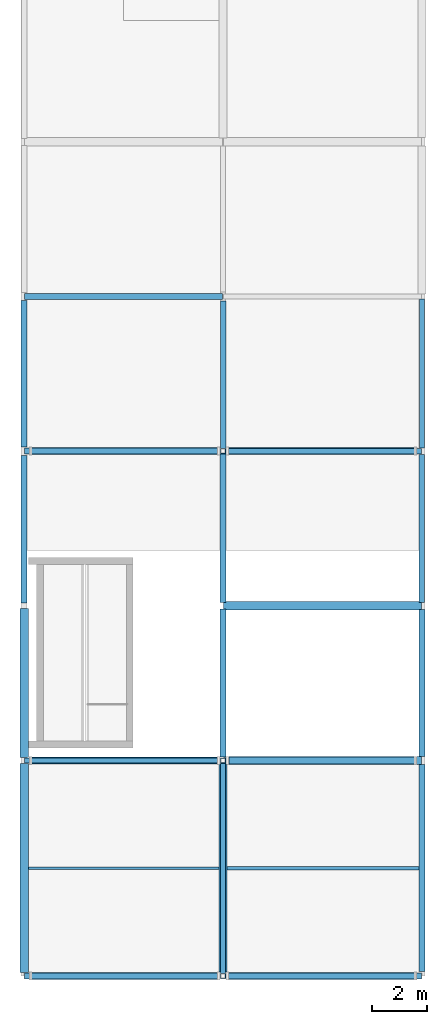
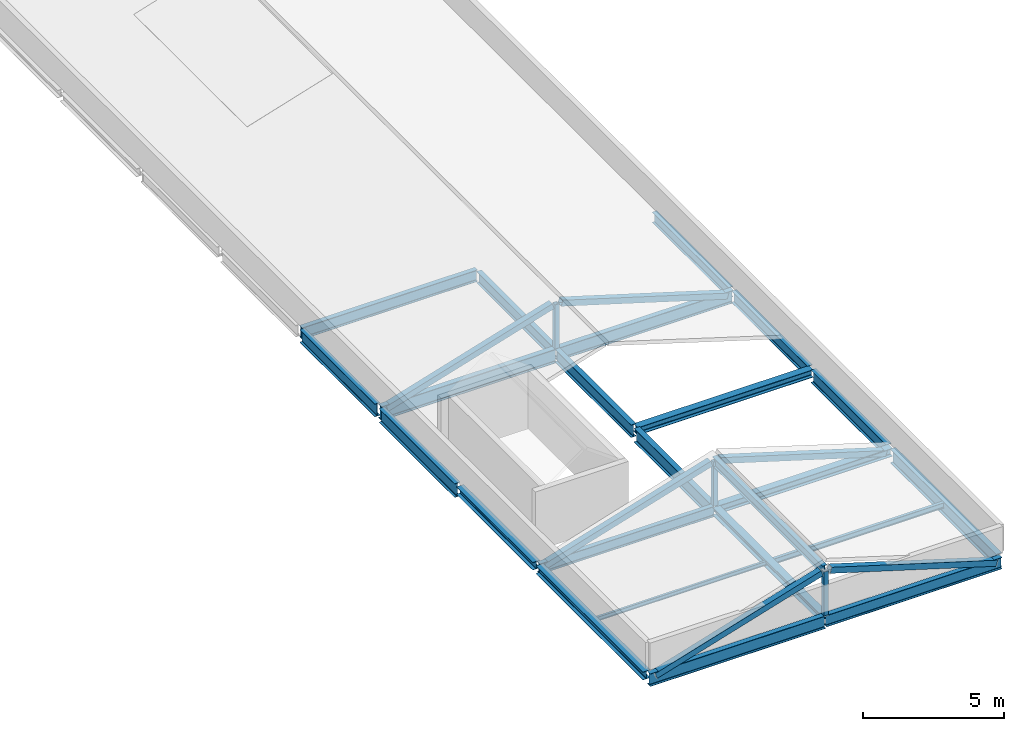
# One storey, part 1 of 9: 23 beams, 9 members.
"""IFC4 building model written with IfcOpenShell, lengths in metres."""

from ifc_helpers import new_model, si_unit, direction, frame, origin, origin_2d, place, context, subcontext, project, spatial, hollow_rectangle, i_section, extrude, material, material_profile, profile_set, type_object, element, save


model = new_model("IFC4")

# Units and contexts
model_context = context("Model", 3, precision=1e-05, world=origin(), true_north=direction((0.0, 1.0)))
body_context = subcontext(model_context, "Body", "Model", "MODEL_VIEW")
ifc_project = project(units=[si_unit("LENGTHUNIT", "METRE"), si_unit("AREAUNIT", "SQUARE_METRE"), si_unit("VOLUMEUNIT", "CUBIC_METRE"), si_unit("PLANEANGLEUNIT", "RADIAN"), si_unit("MASSUNIT", "GRAM", prefix="KILO")], contexts=[model_context])

# Site, building, storey
site_placement = place(None, origin())
site = spatial("IfcSite", under=ifc_project, at=site_placement, CompositionType="ELEMENT")
building_placement = place(site_placement, origin())
building = spatial("IfcBuilding", under=site, at=building_placement, Name="Vinh Khe Railworks Police Headquarters", CompositionType="ELEMENT")
storey_placement = place(building_placement, frame((0.0, 0.0, 36.60009765625)))
storey = spatial("IfcBuildingStorey", under=building, at=storey_placement, Name="RF", CompositionType="ELEMENT", Elevation=36.60009765625)

# Members
ifc_material = material(Name="Steel S355JR", Category="steel")
ifc_material_profile_1 = material_profile(ifc_material, hollow_rectangle(XDim=0.179931640625, YDim=0.179931640625, WallThickness=0.010009765625, at=origin_2d()), Name="SHS 180x180x10")
ifc_profile_set_1 = profile_set([ifc_material_profile_1], Name="Steel S355JR")
member_type_1 = type_object("IfcMemberType", Name="Roof Strut SHS 180x180x10", PredefinedType="STRUT", material=ifc_profile_set_1)
for number, where, z_axis, x_axis, name in (
    (1, (7.800048828125, 17.39990234375, -0.18017578125), (0.0, 0.0, 1.0), (1.0, 0.0, 0.0), "Heritage Roof King Strut 1"),
    (2, (7.800048828125, 25.199951171875, -0.18017578125), (0.0, 0.0, 1.0), (1.0, 0.0, 0.0), "Heritage Roof King Strut 1"),
    (3, (7.800048828125, 36.39990234375, -0.18017578125), (0.0, 0.0, 1.0), (1.0, 0.0, 0.0), "Heritage Roof King Strut 2"),
):
    element("IfcMember", number, at=place(storey_placement, frame(where, z_axis=z_axis, x_axis=x_axis)), inside=storey, type_object=member_type_1, Name=name, PredefinedType="STRUT", context=body_context, shape_type="SweptSolid", body=[
        extrude(hollow_rectangle(XDim=0.179931640625, YDim=0.179931640625, WallThickness=0.010009765625, at=origin_2d()), origin(), (0.0, 0.0, 1.0), 1.900146484375),
    ])

# Beams
ifc_material_profile_2 = material_profile(ifc_material, i_section(OverallWidth=0.091064453125, OverallDepth=0.179931640625, WebThickness=0.00537109375, FlangeThickness=0.008056640625, FilletRadius=0.009033203125, at=origin_2d()), Name="IPE 180")
ifc_profile_set_2 = profile_set([ifc_material_profile_2], Name="Steel S355JR")
beam_type_1 = type_object("IfcBeamType", Name="Secondary Joist IPE 180", PredefinedType="JOIST", material=ifc_profile_set_2)
beam_1_placement = place(storey_placement, frame((0.75, 21.300048828125, -0.27001953125), z_axis=(1.0, 0.0, 0.0), x_axis=(0.0, 1.0, 0.0)))
element("IfcBeam", 4, at=beam_1_placement, inside=storey, type_object=beam_type_1, Name="Secondary Joist JST-RF-SJ-07-0087", PredefinedType="JOIST", context=body_context, shape_type="SweptSolid", body=[
    extrude(i_section(OverallWidth=0.091064453125, OverallDepth=0.179931640625, WebThickness=0.00537109375, FlangeThickness=0.008056640625, FilletRadius=0.009033203125, at=origin_2d()), origin(), (0.0, 0.0, 1.0), 6.89990234375),
])
ifc_material_profile_3 = material_profile(ifc_material, i_section(OverallWidth=0.1201171875, OverallDepth=0.239990234375, WebThickness=0.006103515625, FlangeThickness=0.009765625, FilletRadius=0.014892578125, at=origin_2d()), Name="IPE 240")
ifc_profile_set_3 = profile_set([ifc_material_profile_3], Name="Steel S355JR")
beam_type_2 = type_object("IfcBeamType", Name="Secondary Joist IPE 240", PredefinedType="JOIST", material=ifc_profile_set_3)
beam_2_placement = place(storey_placement, frame((7.949951171875, 21.300048828125, -0.300048828125), z_axis=(1.0, 0.0, 0.0), x_axis=(0.0, 1.0, 0.0)))
element("IfcBeam", 5, at=beam_2_placement, inside=storey, type_object=beam_type_2, Name="Secondary Joist JST-RF-SJ-04-0093", PredefinedType="JOIST", context=body_context, shape_type="SweptSolid", body=[
    extrude(i_section(OverallWidth=0.1201171875, OverallDepth=0.239990234375, WebThickness=0.006103515625, FlangeThickness=0.009765625, FilletRadius=0.014892578125, at=origin_2d()), origin(), (0.0, 0.0, 1.0), 6.93994140625),
])
ifc_material_profile_4 = material_profile(ifc_material, i_section(OverallWidth=0.300048828125, OverallDepth=0.330078125, WebThickness=0.009521484375, FlangeThickness=0.0166015625, FilletRadius=0.027099609375, at=origin_2d()), Name="HEA 340")
ifc_profile_set_4 = profile_set([ifc_material_profile_4], Name="Steel S355JR")
beam_type_3 = type_object("IfcBeamType", Name="Steel Girder HEA 340", PredefinedType="BEAM", material=ifc_profile_set_4)
beam_3_placement = place(storey_placement, frame((7.820068359375, 30.800048828125, -0.34521484375), z_axis=(1.0, 0.0, 0.0), x_axis=(0.0, 1.0, 0.0)))
element("IfcBeam", 6, at=beam_3_placement, inside=storey, type_object=beam_type_3, Name="Girder BM-RF-EW-SB-16-2030", PredefinedType="BEAM", context=body_context, shape_type="SweptSolid", body=[
    extrude(i_section(OverallWidth=0.300048828125, OverallDepth=0.330078125, WebThickness=0.009521484375, FlangeThickness=0.0166015625, FilletRadius=0.027099609375, at=origin_2d()), origin(), (0.0, 0.0, 1.0), 7.159912109375),
])
beam_4_placement = place(storey_placement, frame((0.60009765625, 25.31494140625, -0.34521484375), z_axis=(0.0, 1.0, 0.0), x_axis=(-1.0, 0.0, 0.0)))
element("IfcBeam", 7, at=beam_4_placement, inside=storey, type_object=beam_type_3, Name="Girder BM-RF-NS-SB-16-2054", PredefinedType="BEAM", context=body_context, shape_type="SweptSolid", body=[
    extrude(i_section(OverallWidth=0.300048828125, OverallDepth=0.330078125, WebThickness=0.009521484375, FlangeThickness=0.0166015625, FilletRadius=0.027099609375, at=origin_2d()), origin(), (0.0, 0.0, 1.0), 5.39013671875),
])
beam_5_placement = place(storey_placement, frame((7.800048828125, 17.544921875, -0.34521484375), z_axis=(0.0, 1.0, 0.0), x_axis=(-1.0, 0.0, 0.0)))
element("IfcBeam", 8, at=beam_5_placement, inside=storey, type_object=beam_type_3, Name="Girder BM-RF-NS-SB-16-2066", PredefinedType="BEAM", context=body_context, shape_type="SweptSolid", body=[
    extrude(i_section(OverallWidth=0.300048828125, OverallDepth=0.330078125, WebThickness=0.009521484375, FlangeThickness=0.0166015625, FilletRadius=0.027099609375, at=origin_2d()), origin(), (0.0, 0.0, 1.0), 7.530029296875),
])
ifc_material_profile_5 = material_profile(ifc_material, i_section(OverallWidth=0.300048828125, OverallDepth=0.35009765625, WebThickness=0.010009765625, FlangeThickness=0.017578125, FilletRadius=0.027099609375, at=origin_2d()), Name="HEA 360")
ifc_profile_set_5 = profile_set([ifc_material_profile_5], Name="Steel S355JR")
beam_type_4 = type_object("IfcBeamType", Name="Steel Girder HEA 360", PredefinedType="BEAM", material=ifc_profile_set_5)
beam_6_placement = place(storey_placement, frame((7.820068359375, 25.199951171875, -0.35498046875), z_axis=(1.0, 0.0, 0.0), x_axis=(0.0, 1.0, 0.0)))
element("IfcBeam", 9, at=beam_6_placement, inside=storey, type_object=beam_type_4, Name="Girder BM-RF-EW-SB-15-2029", PredefinedType="BEAM", context=body_context, shape_type="SweptSolid", body=[
    extrude(i_section(OverallWidth=0.300048828125, OverallDepth=0.35009765625, WebThickness=0.010009765625, FlangeThickness=0.017578125, FilletRadius=0.027099609375, at=origin_2d()), origin(), (0.0, 0.0, 1.0), 7.159912109375),
])
beam_7_placement = place(storey_placement, frame((0.60009765625, 17.52490234375, -0.35498046875), z_axis=(0.0, 1.0, 0.0), x_axis=(-1.0, 0.0, 0.0)))
element("IfcBeam", 10, at=beam_7_placement, inside=storey, type_object=beam_type_4, Name="Girder BM-RF-NS-SB-15-2053", PredefinedType="BEAM", context=body_context, shape_type="SweptSolid", body=[
    extrude(i_section(OverallWidth=0.300048828125, OverallDepth=0.35009765625, WebThickness=0.010009765625, FlangeThickness=0.017578125, FilletRadius=0.027099609375, at=origin_2d()), origin(), (0.0, 0.0, 1.0), 7.56005859375),
])
ifc_material_profile_6 = material_profile(ifc_material, i_section(OverallWidth=0.179931640625, OverallDepth=0.39990234375, WebThickness=0.008544921875, FlangeThickness=0.013427734375, FilletRadius=0.02099609375, at=origin_2d()), Name="IPE 400")
ifc_profile_set_6 = profile_set([ifc_material_profile_6], Name="Steel S355JR")
beam_type_5 = type_object("IfcBeamType", Name="Steel Girder IPE 400", PredefinedType="BEAM", material=ifc_profile_set_6)
beam_8_placement = place(storey_placement, frame((7.800048828125, 17.39990234375, 1.719970703125), z_axis=(0.0, 1.0, 0.0), x_axis=(-1.0, 0.0, 0.0)))
element("IfcBeam", 11, at=beam_8_placement, inside=storey, type_object=beam_type_5, Name="Heritage Roof Ridge Beam 1", PredefinedType="BEAM", context=body_context, shape_type="SweptSolid", body=[
    extrude(i_section(OverallWidth=0.179931640625, OverallDepth=0.39990234375, WebThickness=0.008544921875, FlangeThickness=0.013427734375, FilletRadius=0.02099609375, at=origin_2d()), origin(), (0.0, 0.0, 1.0), 7.800048828125),
])
ifc_material_profile_7 = material_profile(ifc_material, i_section(OverallWidth=0.18994140625, OverallDepth=0.449951171875, WebThickness=0.009521484375, FlangeThickness=0.0146484375, FilletRadius=0.02099609375, at=origin_2d()), Name="IPE 450")
ifc_profile_set_7 = profile_set([ifc_material_profile_7], Name="Steel S355JR")
beam_type_6 = type_object("IfcBeamType", Name="Steel Girder IPE 450", PredefinedType="BEAM", material=ifc_profile_set_7)
beam_9_placement = place(storey_placement, frame((0.6201171875, 25.199951171875, -0.405029296875), z_axis=(1.0, 0.0, 0.0), x_axis=(0.0, 1.0, 0.0)))
element("IfcBeam", 12, at=beam_9_placement, inside=storey, type_object=beam_type_6, Name="Girder BM-RF-EW-SB-20-2028", PredefinedType="BEAM", context=body_context, shape_type="SweptSolid", body=[
    extrude(i_section(OverallWidth=0.18994140625, OverallDepth=0.449951171875, WebThickness=0.009521484375, FlangeThickness=0.0146484375, FilletRadius=0.02099609375, at=origin_2d()), origin(), (0.0, 0.0, 1.0), 7.159912109375),
])
beam_10_placement = place(storey_placement, frame((15.0, 36.514892578125, -0.405029296875), z_axis=(0.0, 1.0, 0.0), x_axis=(-1.0, 0.0, 0.0)))
element("IfcBeam", 13, at=beam_10_placement, inside=storey, type_object=beam_type_6, Name="Girder BM-RF-NS-SB-20-2082", PredefinedType="BEAM", context=body_context, shape_type="SweptSolid", body=[
    extrude(i_section(OverallWidth=0.18994140625, OverallDepth=0.449951171875, WebThickness=0.009521484375, FlangeThickness=0.0146484375, FilletRadius=0.02099609375, at=origin_2d()), origin(), (0.0, 0.0, 1.0), 5.39013671875),
])
ifc_material_profile_8 = material_profile(ifc_material, i_section(OverallWidth=0.199951171875, OverallDepth=0.5, WebThickness=0.01025390625, FlangeThickness=0.01611328125, FilletRadius=0.02099609375, at=origin_2d()), Name="IPE 500")
ifc_profile_set_8 = profile_set([ifc_material_profile_8], Name="Steel S355JR")
beam_type_7 = type_object("IfcBeamType", Name="Steel Girder IPE 500", PredefinedType="BEAM", material=ifc_profile_set_8)
for number, where, z_axis, x_axis, name in (
    (14, (7.820068359375, 17.39990234375, -0.43017578125), (1.0, 0.0, 0.0), (0.0, 1.0, 0.0), "Girder BM-RF-EW-SB-19-2027"),
    (15, (0.6201171875, 42.0, -0.43017578125), (1.0, 0.0, 0.0), (0.0, 1.0, 0.0), "Girder BM-RF-EW-SB-19-2033"),
):
    element("IfcBeam", number, at=place(storey_placement, frame(where, z_axis=z_axis, x_axis=x_axis)), inside=storey, type_object=beam_type_7, Name=name, PredefinedType="BEAM", context=body_context, shape_type="SweptSolid", body=[
        extrude(i_section(OverallWidth=0.199951171875, OverallDepth=0.5, WebThickness=0.01025390625, FlangeThickness=0.01611328125, FilletRadius=0.02099609375, at=origin_2d()), origin(), (0.0, 0.0, 1.0), 7.159912109375),
    ])
beam_11_placement = place(storey_placement, frame((7.800048828125, 36.4951171875, -0.43017578125), z_axis=(0.0, 1.0, 0.0), x_axis=(-1.0, 0.0, 0.0)))
element("IfcBeam", 16, at=beam_11_placement, inside=storey, type_object=beam_type_7, Name="Girder BM-RF-NS-SB-19-2069", PredefinedType="BEAM", context=body_context, shape_type="SweptSolid", body=[
    extrude(i_section(OverallWidth=0.199951171875, OverallDepth=0.5, WebThickness=0.01025390625, FlangeThickness=0.01611328125, FilletRadius=0.02099609375, at=origin_2d()), origin(), (0.0, 0.0, 1.0), 5.349853515625),
])
beam_12_placement = place(storey_placement, frame((15.0, 30.925048828125, -0.43017578125), z_axis=(0.0, 1.0, 0.0), x_axis=(-1.0, 0.0, 0.0)))
element("IfcBeam", 17, at=beam_12_placement, inside=storey, type_object=beam_type_7, Name="Girder BM-RF-NS-SB-19-2081", PredefinedType="BEAM", context=body_context, shape_type="SweptSolid", body=[
    extrude(i_section(OverallWidth=0.199951171875, OverallDepth=0.5, WebThickness=0.01025390625, FlangeThickness=0.01611328125, FilletRadius=0.02099609375, at=origin_2d()), origin(), (0.0, 0.0, 1.0), 5.35986328125),
])
ifc_material_profile_9 = material_profile(ifc_material, i_section(OverallWidth=0.2099609375, OverallDepth=0.550048828125, WebThickness=0.010986328125, FlangeThickness=0.01708984375, FilletRadius=0.02392578125, at=origin_2d()), Name="IPE 550")
ifc_profile_set_9 = profile_set([ifc_material_profile_9], Name="Steel S355JR")
beam_type_8 = type_object("IfcBeamType", Name="Steel Girder IPE 550", PredefinedType="BEAM", material=ifc_profile_set_9)
for number, where, z_axis, x_axis, name in (
    (18, (0.6201171875, 17.39990234375, -0.455078125), (1.0, 0.0, 0.0), (0.0, 1.0, 0.0), "Girder BM-RF-EW-SB-18-2026"),
    (19, (7.820068359375, 36.39990234375, -0.455078125), (1.0, 0.0, 0.0), (0.0, 1.0, 0.0), "Girder BM-RF-EW-SB-18-2032"),
):
    element("IfcBeam", number, at=place(storey_placement, frame(where, z_axis=z_axis, x_axis=x_axis)), inside=storey, type_object=beam_type_8, Name=name, PredefinedType="BEAM", context=body_context, shape_type="SweptSolid", body=[
        extrude(i_section(OverallWidth=0.2099609375, OverallDepth=0.550048828125, WebThickness=0.010986328125, FlangeThickness=0.01708984375, FilletRadius=0.02392578125, at=origin_2d()), origin(), (0.0, 0.0, 1.0), 7.159912109375),
    ])
beam_13_placement = place(storey_placement, frame((0.60009765625, 36.554931640625, -0.455078125), z_axis=(0.0, 1.0, 0.0), x_axis=(-1.0, 0.0, 0.0)))
element("IfcBeam", 20, at=beam_13_placement, inside=storey, type_object=beam_type_8, Name="Girder BM-RF-NS-SB-18-2056", PredefinedType="BEAM", context=body_context, shape_type="SweptSolid", body=[
    extrude(i_section(OverallWidth=0.2099609375, OverallDepth=0.550048828125, WebThickness=0.010986328125, FlangeThickness=0.01708984375, FilletRadius=0.02392578125, at=origin_2d()), origin(), (0.0, 0.0, 1.0), 5.300048828125),
])
beam_14_placement = place(storey_placement, frame((7.800048828125, 30.9150390625, -0.455078125), z_axis=(0.0, 1.0, 0.0), x_axis=(-1.0, 0.0, 0.0)))
element("IfcBeam", 21, at=beam_14_placement, inside=storey, type_object=beam_type_8, Name="Girder BM-RF-NS-SB-18-2068", PredefinedType="BEAM", context=body_context, shape_type="SweptSolid", body=[
    extrude(i_section(OverallWidth=0.2099609375, OverallDepth=0.550048828125, WebThickness=0.010986328125, FlangeThickness=0.01708984375, FilletRadius=0.02392578125, at=origin_2d()), origin(), (0.0, 0.0, 1.0), 5.389892578125),
])
beam_15_placement = place(storey_placement, frame((15.0, 25.344970703125, -0.455078125), z_axis=(0.0, 1.0, 0.0), x_axis=(-1.0, 0.0, 0.0)))
element("IfcBeam", 22, at=beam_15_placement, inside=storey, type_object=beam_type_8, Name="Girder BM-RF-NS-SB-18-2080", PredefinedType="BEAM", context=body_context, shape_type="SweptSolid", body=[
    extrude(i_section(OverallWidth=0.2099609375, OverallDepth=0.550048828125, WebThickness=0.010986328125, FlangeThickness=0.01708984375, FilletRadius=0.02392578125, at=origin_2d()), origin(), (0.0, 0.0, 1.0), 5.330078125),
])
ifc_material_profile_10 = material_profile(ifc_material, i_section(OverallWidth=0.219970703125, OverallDepth=0.60009765625, WebThickness=0.011962890625, FlangeThickness=0.01904296875, FilletRadius=0.02392578125, at=origin_2d()), Name="IPE 600")
ifc_profile_set_10 = profile_set([ifc_material_profile_10], Name="Steel S355JR")
beam_type_9 = type_object("IfcBeamType", Name="Steel Girder IPE 600", PredefinedType="BEAM", material=ifc_profile_set_10)
beam_16_placement = place(storey_placement, frame((0.6201171875, 36.39990234375, -0.47998046875), z_axis=(1.0, 0.0, 0.0), x_axis=(0.0, 1.0, 0.0)))
element("IfcBeam", 23, at=beam_16_placement, inside=storey, type_object=beam_type_9, Name="Girder BM-RF-EW-SB-17-2031", PredefinedType="BEAM", context=body_context, shape_type="SweptSolid", body=[
    extrude(i_section(OverallWidth=0.219970703125, OverallDepth=0.60009765625, WebThickness=0.011962890625, FlangeThickness=0.01904296875, FilletRadius=0.02392578125, at=origin_2d()), origin(), (0.0, 0.0, 1.0), 7.159912109375),
])
beam_17_placement = place(storey_placement, frame((0.60009765625, 30.89501953125, -0.47998046875), z_axis=(0.0, 1.0, 0.0), x_axis=(-1.0, 0.0, 0.0)))
element("IfcBeam", 24, at=beam_17_placement, inside=storey, type_object=beam_type_9, Name="Girder BM-RF-NS-SB-17-2055", PredefinedType="BEAM", context=body_context, shape_type="SweptSolid", body=[
    extrude(i_section(OverallWidth=0.219970703125, OverallDepth=0.60009765625, WebThickness=0.011962890625, FlangeThickness=0.01904296875, FilletRadius=0.02392578125, at=origin_2d()), origin(), (0.0, 0.0, 1.0), 5.35009765625),
])
beam_18_placement = place(storey_placement, frame((7.800048828125, 25.324951171875, -0.47998046875), z_axis=(0.0, 1.0, 0.0), x_axis=(-1.0, 0.0, 0.0)))
element("IfcBeam", 25, at=beam_18_placement, inside=storey, type_object=beam_type_9, Name="Girder BM-RF-NS-SB-17-2067", PredefinedType="BEAM", context=body_context, shape_type="SweptSolid", body=[
    extrude(i_section(OverallWidth=0.219970703125, OverallDepth=0.60009765625, WebThickness=0.011962890625, FlangeThickness=0.01904296875, FilletRadius=0.02392578125, at=origin_2d()), origin(), (0.0, 0.0, 1.0), 5.360107421875),
])
beam_19_placement = place(storey_placement, frame((15.0, 17.554931640625, -0.47998046875), z_axis=(0.0, 1.0, 0.0), x_axis=(-1.0, 0.0, 0.0)))
element("IfcBeam", 26, at=beam_19_placement, inside=storey, type_object=beam_type_9, Name="Girder BM-RF-NS-SB-17-2079", PredefinedType="BEAM", context=body_context, shape_type="SweptSolid", body=[
    extrude(i_section(OverallWidth=0.219970703125, OverallDepth=0.60009765625, WebThickness=0.011962890625, FlangeThickness=0.01904296875, FilletRadius=0.02392578125, at=origin_2d()), origin(), (0.0, 0.0, 1.0), 7.5),
])

# Members
ifc_material_profile_11 = material_profile(ifc_material, hollow_rectangle(XDim=0.25, YDim=0.25, WallThickness=0.012451171875, at=origin_2d()), Name="SHS 250x250x12.5")
ifc_profile_set_11 = profile_set([ifc_material_profile_11], Name="Steel S355JR")
member_type_2 = type_object("IfcMemberType", Name="Truss Chord SHS 250x250x12.5", PredefinedType="CHORD", material=ifc_profile_set_11)
for number, where, z_axis, x_axis, name in (
    (27, (0.85009765625, 17.39990234375, -0.340087890625), (0.956688920736, 0.0, 0.291112193046), (0.0, 1.0, 0.0), "Heritage Gable Truss Chord 1W"),
    (28, (14.75, 17.39990234375, -0.340087890625), (-0.956688920736, 0.0, 0.291112193046), (0.0, -1.0, 0.0), "Heritage Gable Truss Chord 1E"),
    (29, (0.85009765625, 25.199951171875, -0.340087890625), (0.956688920736, 0.0, 0.291112193046), (0.0, 1.0, 0.0), "Heritage Gable Truss Chord 1W"),
    (30, (14.75, 25.199951171875, -0.340087890625), (-0.956688920736, 0.0, 0.291112193046), (0.0, -1.0, 0.0), "Heritage Gable Truss Chord 1E"),
    (31, (0.85009765625, 36.39990234375, -0.340087890625), (0.956688920736, 0.0, 0.291112193046), (0.0, 1.0, 0.0), "Heritage Gable Truss Chord 2W"),
    (32, (14.75, 36.39990234375, -0.340087890625), (-0.956688920736, 0.0, 0.291112193046), (0.0, -1.0, 0.0), "Heritage Gable Truss Chord 2E"),
):
    element("IfcMember", number, at=place(storey_placement, frame(where, z_axis=z_axis, x_axis=x_axis)), inside=storey, type_object=member_type_2, Name=name, PredefinedType="CHORD", context=body_context, shape_type="SweptSolid", body=[
        extrude(hollow_rectangle(XDim=0.25, YDim=0.25, WallThickness=0.012451171875, at=origin_2d()), origin(), (0.0, 0.0, 1.0), 7.076416015625),
    ])

save(model, "model.ifc")
